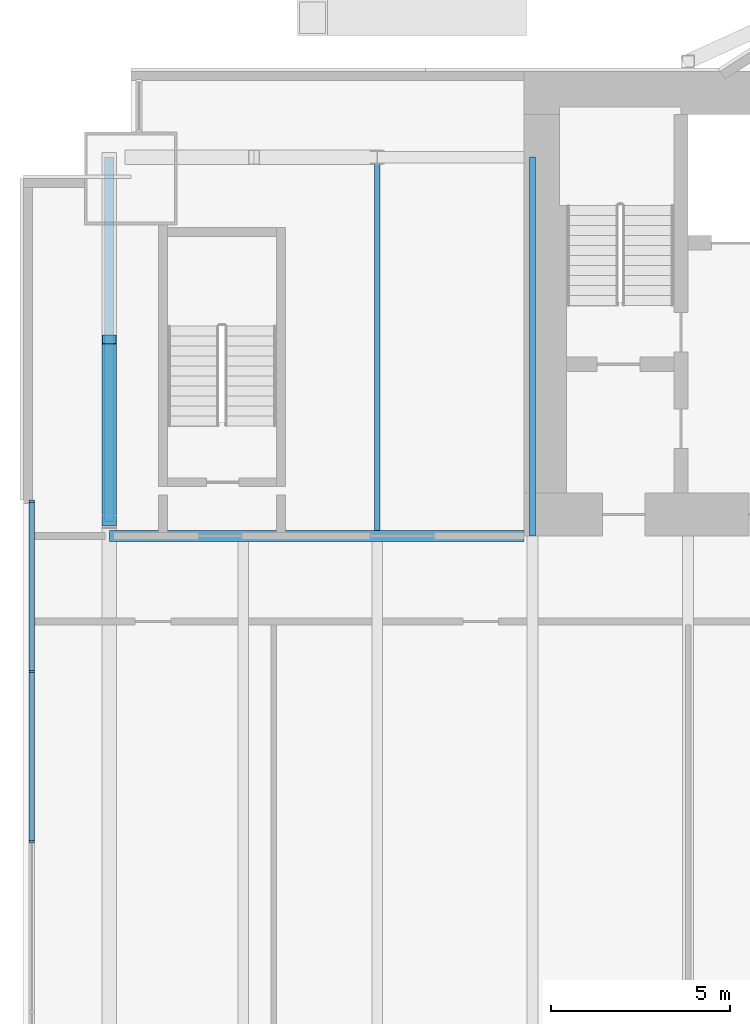
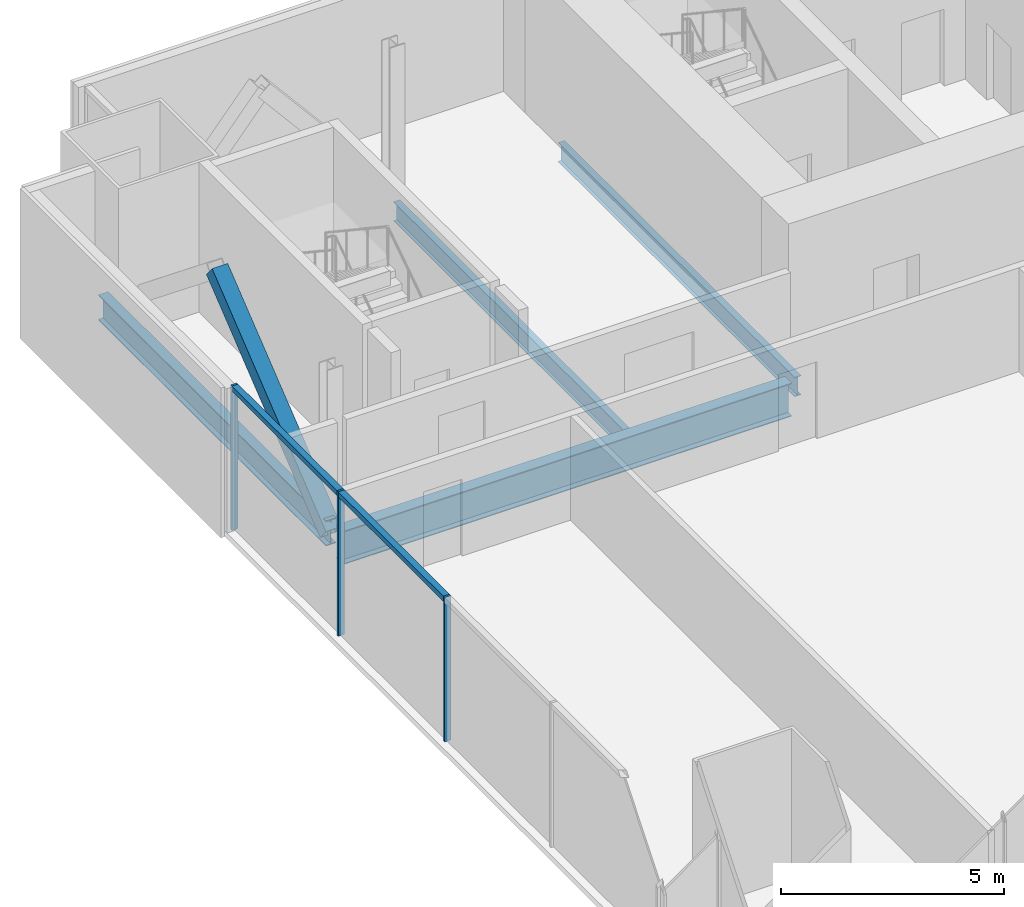
# One storey, part 7 of 22: 6 members, 4 beams, 1 element without a shape of its own.
"""IFC4 building model written with IfcOpenShell, lengths in metres."""

from ifc_helpers import new_model, si_unit, direction, frame, origin, origin_2d, place, context, subcontext, project, spatial, rectangle, hollow_rectangle, i_section, extrude, material, material_profile, profile_set, type_object, element, aggregate, save


model = new_model("IFC4")

# Units and contexts
model_context = context("Model", 3, precision=1e-05, world=origin(), true_north=direction((0.0, 1.0)))
body_context = subcontext(model_context, "Body", "Model", "MODEL_VIEW")
ifc_project = project(units=[si_unit("LENGTHUNIT", "METRE"), si_unit("AREAUNIT", "SQUARE_METRE"), si_unit("VOLUMEUNIT", "CUBIC_METRE"), si_unit("PLANEANGLEUNIT", "RADIAN"), si_unit("MASSUNIT", "GRAM", prefix="KILO")], contexts=[model_context])

# Site, building, storey
site_placement = place(None, origin())
site = spatial("IfcSite", under=ifc_project, at=site_placement, CompositionType="ELEMENT")
building_placement = place(site_placement, origin())
building = spatial("IfcBuilding", under=site, at=building_placement, Name="Bicima Exchange Tower", CompositionType="ELEMENT")
storey_placement = place(building_placement, frame((0.0, 0.0, 169.10009765625)))
storey = spatial("IfcBuildingStorey", under=building, at=storey_placement, Name="L37", CompositionType="ELEMENT", Elevation=169.10009765625)

# Beam
ifc_material_1 = material(Name="Steel ASTM A992 Gr 50", Category="steel")
ifc_material_profile_1 = material_profile(ifc_material_1, i_section(OverallWidth=0.3046875, OverallDepth=0.911865234375, WebThickness=0.015869140625, FlangeThickness=0.02392578125, at=origin_2d()))
ifc_profile_set_1 = profile_set([ifc_material_profile_1], Name="Steel ASTM A992 Gr 50")
beam_type_1 = type_object("IfcBeamType", Name="Core-line girder W36x150", PredefinedType="BEAM", material=ifc_profile_set_1)
beam_1_placement = place(storey_placement, frame((-22.0, -13.0, -0.60595703125), z_axis=(-1.0, 0.0, 0.0), x_axis=(0.0, -1.0, 0.0)))
element("IfcBeam", 1, at=beam_1_placement, inside=storey, type_object=beam_type_1, Name="Core-line girder", PredefinedType="BEAM", context=body_context, shape_type="SweptSolid", body=[
    extrude(i_section(OverallWidth=0.3046875, OverallDepth=0.911865234375, WebThickness=0.015869140625, FlangeThickness=0.02392578125, at=origin_2d()), origin(), (0.0, 0.0, 1.0), 11.60009765625),
])

# Curtain wall, members
ifc_material_2 = material(Name="Anodised bronze aluminium", Category="aluminium")
curtain_wall_type = type_object("IfcCurtainWallType", Name="End face glass wall", PredefinedType="NOTDEFINED", material=ifc_material_2)
curtain_wall_placement = place(storey_placement, origin())
curtain_wall = element("IfcCurtainWall", 2, at=curtain_wall_placement, inside=storey, type_object=curtain_wall_type, Name="End face glass wall L37 run 2", PredefinedType="NOTDEFINED")
ifc_material_profile_2 = material_profile(ifc_material_2, rectangle(XDim=0.159912109375, YDim=0.06005859375, at=origin_2d()))
ifc_profile_set_2 = profile_set([ifc_material_profile_2], Name="Anodised bronze aluminium")
member_type_1 = type_object("IfcMemberType", Name="End face glass wall mullion 60 x 160", PredefinedType="MULLION", material=ifc_profile_set_2)
member_1_placement = place(storey_placement, frame((-35.77001953125, -12.030029296875, 0.0), z_axis=(0.0, 0.0, 1.0), x_axis=(1.0, 0.0, 0.0)))
member_1 = element("IfcMember", 3, at=member_1_placement, type_object=member_type_1, Name="End face glass wall mullion 1", PredefinedType="MULLION", context=body_context, shape_type="SweptSolid", body=[
    extrude(rectangle(XDim=0.159912109375, YDim=0.06005859375, at=origin_2d()), origin(), (0.0, 0.0, 1.0), 3.949951171875),
])
member_2_placement = place(storey_placement, frame((-35.77001953125, -16.79638671875, 0.0), z_axis=(0.0, 0.0, 1.0), x_axis=(1.0, 0.0, 0.0)))
member_2 = element("IfcMember", 4, at=member_2_placement, type_object=member_type_1, Name="End face glass wall mullion 2", PredefinedType="MULLION", context=body_context, shape_type="SweptSolid", body=[
    extrude(rectangle(XDim=0.159912109375, YDim=0.06005859375, at=origin_2d()), origin(), (0.0, 0.0, 1.0), 3.949951171875),
])
member_3_placement = place(storey_placement, frame((-35.77001953125, -21.56298828125, 0.0), z_axis=(0.0, 0.0, 1.0), x_axis=(1.0, 0.0, 0.0)))
member_3 = element("IfcMember", 5, at=member_3_placement, type_object=member_type_1, Name="End face glass wall mullion 3", PredefinedType="MULLION", context=body_context, shape_type="SweptSolid", body=[
    extrude(rectangle(XDim=0.159912109375, YDim=0.06005859375, at=origin_2d()), origin(), (0.0, 0.0, 1.0), 3.949951171875),
])
ifc_material_profile_3 = material_profile(ifc_material_2, rectangle(XDim=0.159912109375, YDim=0.139892578125, at=origin_2d()))
ifc_profile_set_3 = profile_set([ifc_material_profile_3], Name="Anodised bronze aluminium")
member_type_2 = type_object("IfcMemberType", Name="End face glass wall transom 140 x 160", PredefinedType="USERDEFINED", material=ifc_profile_set_3)
member_4_placement = place(storey_placement, frame((-35.77001953125, -12.06005859375, 3.8798828125), z_axis=(0.0, -1.0, 0.0), x_axis=(1.0, 0.0, 0.0)))
member_4 = element("IfcMember", 6, at=member_4_placement, type_object=member_type_2, Name="End face glass wall transom 1.1", ObjectType="TRANSOM", PredefinedType="USERDEFINED", context=body_context, shape_type="SweptSolid", body=[
    extrude(rectangle(XDim=0.159912109375, YDim=0.139892578125, at=origin_2d()), origin(), (0.0, 0.0, 1.0), 4.70654296875),
])
member_5_placement = place(storey_placement, frame((-35.77001953125, -16.826416015625, 3.8798828125), z_axis=(0.0, -1.0, 0.0), x_axis=(1.0, 0.0, 0.0)))
member_5 = element("IfcMember", 7, at=member_5_placement, type_object=member_type_2, Name="End face glass wall transom 2.1", ObjectType="TRANSOM", PredefinedType="USERDEFINED", context=body_context, shape_type="SweptSolid", body=[
    extrude(rectangle(XDim=0.159912109375, YDim=0.139892578125, at=origin_2d()), origin(), (0.0, 0.0, 1.0), 4.70654296875),
])
aggregate(curtain_wall, [member_1, member_2, member_3, member_4, member_5])

# Beams
ifc_material_profile_4 = material_profile(ifc_material_1, i_section(OverallWidth=0.256591796875, OverallDepth=0.693359375, WebThickness=0.014404296875, FlangeThickness=0.023681640625, at=origin_2d()))
ifc_profile_set_4 = profile_set([ifc_material_profile_4], Name="Steel ASTM A992 Gr 50")
beam_type_2 = type_object("IfcBeamType", Name="End girder W27x114", PredefinedType="BEAM", material=ifc_profile_set_4)
beam_2_placement = place(storey_placement, frame((-33.60009765625, -2.39990234375, -0.496826171875), z_axis=(0.0, -1.0, 0.0), x_axis=(1.0, 0.0, 0.0)))
element("IfcBeam", 8, at=beam_2_placement, inside=storey, type_object=beam_type_2, Name="End girder", PredefinedType="BEAM", context=body_context, shape_type="SweptSolid", body=[
    extrude(i_section(OverallWidth=0.256591796875, OverallDepth=0.693359375, WebThickness=0.014404296875, FlangeThickness=0.023681640625, at=origin_2d()), origin(), (0.0, 0.0, 1.0), 10.2001953125),
])
ifc_material_profile_5 = material_profile(ifc_material_1, i_section(OverallWidth=0.165771484375, OverallDepth=0.5283203125, WebThickness=0.009765625, FlangeThickness=0.013671875, at=origin_2d()))
ifc_profile_set_5 = profile_set([ifc_material_profile_5], Name="Steel ASTM A992 Gr 50")
beam_type_3 = type_object("IfcBeamType", Name="Floor beam W21x50", PredefinedType="JOIST", material=ifc_profile_set_5)
beam_3_placement = place(storey_placement, frame((-26.10009765625, -2.5625, -0.414306640625), z_axis=(0.0, -1.0, 0.0), x_axis=(1.0, 0.0, 0.0)))
element("IfcBeam", 9, at=beam_3_placement, inside=storey, type_object=beam_type_3, Name="Floor beam", PredefinedType="JOIST", context=body_context, shape_type="SweptSolid", body=[
    extrude(i_section(OverallWidth=0.165771484375, OverallDepth=0.5283203125, WebThickness=0.009765625, FlangeThickness=0.013671875, at=origin_2d()), origin(), (0.0, 0.0, 1.0), 10.28515625),
])
beam_4_placement = place(storey_placement, frame((-21.75, -2.39990234375, -0.414306640625), z_axis=(0.0, -1.0, 0.0), x_axis=(1.0, 0.0, 0.0)))
element("IfcBeam", 10, at=beam_4_placement, inside=storey, type_object=beam_type_3, Name="Floor beam", PredefinedType="JOIST", context=body_context, shape_type="SweptSolid", body=[
    extrude(i_section(OverallWidth=0.165771484375, OverallDepth=0.5283203125, WebThickness=0.009765625, FlangeThickness=0.013671875, at=origin_2d()), origin(), (0.0, 0.0, 1.0), 10.60009765625),
])

# Member
ifc_material_3 = material(Name="Steel ASTM A572 Gr 50", Category="steel")
ifc_material_profile_6 = material_profile(ifc_material_3, hollow_rectangle(XDim=0.406494140625, YDim=0.406494140625, WallThickness=0.017822265625, at=origin_2d()))
ifc_profile_set_6 = profile_set([ifc_material_profile_6], Name="Steel ASTM A572 Gr 50")
member_type_3 = type_object("IfcMemberType", Name="Mega brace HSS16x16x3/4", PredefinedType="BRACE", material=ifc_profile_set_6)
member_6_placement = place(storey_placement, frame((-33.60009765625, -12.60009765625, -0.496826171875), z_axis=(0.0, 0.779374241895, 0.626558689247), x_axis=(-1.0, 0.0, 0.0)))
element("IfcMember", 11, at=member_6_placement, inside=storey, type_object=member_type_3, Name="Mega brace west end", PredefinedType="BRACE", context=body_context, shape_type="SweptSolid", body=[
    extrude(hollow_rectangle(XDim=0.406494140625, YDim=0.406494140625, WallThickness=0.017822265625, at=origin_2d()), origin(), (0.0, 0.0, 1.0), 6.5439453125),
])

save(model, "model.ifc")
